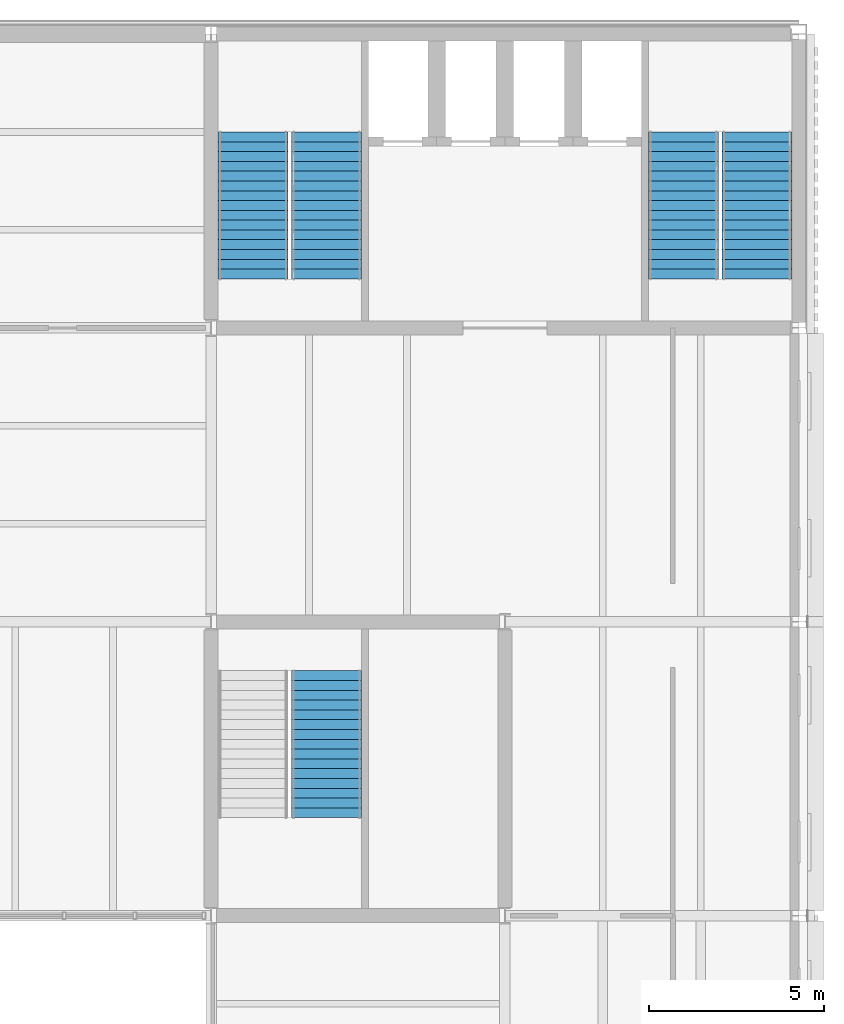
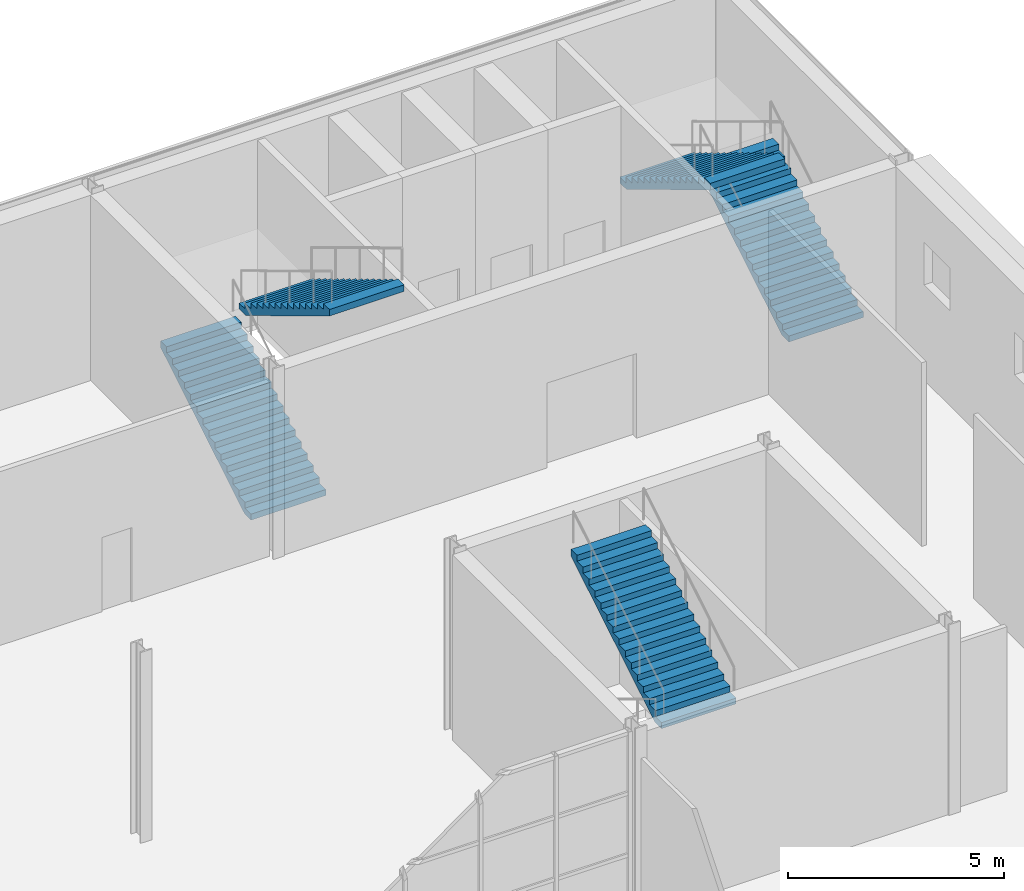
# One storey, part 37 of 57: 5 stair flights, 3 elements without a shape of their own.
"""IFC4 building model written with IfcOpenShell, lengths in metres."""

from ifc_helpers import new_model, si_unit, direction, frame, origin, place, context, subcontext, project, spatial, polyline, outline, extrude, material, type_object, element, aggregate, save


model = new_model("IFC4")

# Units and contexts
model_context = context("Model", 3, precision=1e-05, world=origin(), true_north=direction((0.0, 1.0)))
body_context = subcontext(model_context, "Body", "Model", "MODEL_VIEW")
ifc_project = project(units=[si_unit("LENGTHUNIT", "METRE"), si_unit("AREAUNIT", "SQUARE_METRE"), si_unit("VOLUMEUNIT", "CUBIC_METRE"), si_unit("PLANEANGLEUNIT", "RADIAN"), si_unit("MASSUNIT", "GRAM", prefix="KILO")], contexts=[model_context])

# Site, building, storey
site_placement = place(None, origin())
site = spatial("IfcSite", under=ifc_project, at=site_placement, CompositionType="ELEMENT")
building_placement = place(site_placement, origin())
building = spatial("IfcBuilding", under=site, at=building_placement, Name="Galleria Vessillo Department Store", CompositionType="ELEMENT")
storey_placement = place(building_placement, frame((0.0, 0.0, 25.800048828125)))
storey = spatial("IfcBuildingStorey", under=building, at=storey_placement, Name="L05", CompositionType="ELEMENT", Elevation=25.800048828125)

# Stair, stair flights
ifc_material_1 = material(Name="Concrete C32/40", Category="concrete")
stair_type = type_object("IfcStairType", Name="Half-turn escape stair 2000 mm, 32 risers of 169 mm", PredefinedType="HALF_TURN_STAIR", material=ifc_material_1)
stair_1_placement = place(storey_placement, origin())
stair_1 = element("IfcStair", 1, at=stair_1_placement, inside=storey, type_object=stair_type, Name="Stair ST8 L05", PredefinedType="HALF_TURN_STAIR")
ifc_material_2 = material(Name="Concrete C32/40", Category="concrete")
stair_flight_type = type_object("IfcStairFlightType", Name="Stair flight 2000 mm, 16 risers of 169 mm", PredefinedType="STRAIGHT", material=ifc_material_2)
stair_flight_1_placement = place(storey_placement, frame((102.0, 55.99951171875, 0.0), z_axis=(0.0, 0.0, 1.0), x_axis=(0.0, 1.0, 0.0)))
stair_flight_1 = element("IfcStairFlight", 2, at=stair_flight_1_placement, type_object=stair_flight_type, Name="ST8 flight 1", NumberOfRisers=16, NumberOfTreads=15, PredefinedType="STRAIGHT", RiserHeight=0.16875, TreadLength=0.28, context=body_context, shape_type="SweptSolid", body=[
    extrude(outline(polyline([(0.0, 0.0), (0.0, 0.168701171875), (0.280029296875, 0.168701171875), (0.280029296875, 0.33740234375), (0.56005859375, 0.33740234375), (0.56005859375, 0.50634765625), (0.840087890625, 0.50634765625), (0.840087890625, 0.675048828125), (1.1201171875, 0.675048828125), (1.1201171875, 0.84375), (1.39990234375, 0.84375), (1.39990234375, 1.012451171875), (1.679931640625, 1.012451171875), (1.679931640625, 1.18115234375), (1.9599609375, 1.18115234375), (1.9599609375, 1.35009765625), (2.239990234375, 1.35009765625), (2.239990234375, 1.518798828125), (2.52001953125, 1.518798828125), (2.52001953125, 1.6875), (2.800048828125, 1.6875), (2.800048828125, 1.856201171875), (3.080078125, 1.856201171875), (3.080078125, 2.02490234375), (3.360107421875, 2.02490234375), (3.360107421875, 2.19384765625), (3.639892578125, 2.19384765625), (3.639892578125, 2.362548828125), (3.919921875, 2.362548828125), (3.919921875, 2.53125), (4.199951171875, 2.53125), (4.199951171875, 2.699951171875), (4.199951171875, 2.344482421875), (0.309814453125, 0.0), (0.0, 0.0)])), frame((0.0, 1.0, 0.0), z_axis=(0.0, -1.0, 0.0), x_axis=(1.0, 0.0, 0.0)), (0.0, 0.0, 1.0), 2.0),
])
stair_flight_2_placement = place(storey_placement, frame((104.10009765625, 60.199462890625, 2.699951171875), z_axis=(0.0, 0.0, 1.0), x_axis=(0.0, -1.0, 0.0)))
stair_flight_2 = element("IfcStairFlight", 3, at=stair_flight_2_placement, type_object=stair_flight_type, Name="ST8 flight 2", NumberOfRisers=16, NumberOfTreads=15, PredefinedType="STRAIGHT", RiserHeight=0.16875, TreadLength=0.28, context=body_context, shape_type="SweptSolid", body=[
    extrude(outline(polyline([(0.0, 0.0), (0.0, 0.168701171875), (0.280029296875, 0.168701171875), (0.280029296875, 0.33740234375), (0.56005859375, 0.33740234375), (0.56005859375, 0.50634765625), (0.840087890625, 0.50634765625), (0.840087890625, 0.675048828125), (1.1201171875, 0.675048828125), (1.1201171875, 0.84375), (1.39990234375, 0.84375), (1.39990234375, 1.012451171875), (1.679931640625, 1.012451171875), (1.679931640625, 1.18115234375), (1.9599609375, 1.18115234375), (1.9599609375, 1.35009765625), (2.239990234375, 1.35009765625), (2.239990234375, 1.518798828125), (2.52001953125, 1.518798828125), (2.52001953125, 1.6875), (2.800048828125, 1.6875), (2.800048828125, 1.856201171875), (3.080078125, 1.856201171875), (3.080078125, 2.02490234375), (3.360107421875, 2.02490234375), (3.360107421875, 2.19384765625), (3.639892578125, 2.19384765625), (3.639892578125, 2.362548828125), (3.919921875, 2.362548828125), (3.919921875, 2.53125), (4.199951171875, 2.53125), (4.199951171875, 2.699951171875), (4.199951171875, 2.344482421875), (0.309814453125, 0.0), (0.0, 0.0)])), frame((0.0, 1.0, 0.0), z_axis=(0.0, -1.0, 0.0), x_axis=(1.0, 0.0, 0.0)), (0.0, 0.0, 1.0), 2.0),
])
aggregate(stair_1, [stair_flight_1, stair_flight_2])

stair_2_placement = place(storey_placement, origin())
stair_2 = element("IfcStair", 4, at=stair_2_placement, inside=storey, type_object=stair_type, Name="Stair ST9 L05", PredefinedType="HALF_TURN_STAIR")
stair_flight_3_placement = place(storey_placement, frame((116.39990234375, 55.99951171875, 0.0), z_axis=(0.0, 0.0, 1.0), x_axis=(0.0, 1.0, 0.0)))
stair_flight_3 = element("IfcStairFlight", 5, at=stair_flight_3_placement, type_object=stair_flight_type, Name="ST9 flight 1", NumberOfRisers=16, NumberOfTreads=15, PredefinedType="STRAIGHT", RiserHeight=0.16875, TreadLength=0.28, context=body_context, shape_type="SweptSolid", body=[
    extrude(outline(polyline([(0.0, 0.0), (0.0, 0.168701171875), (0.280029296875, 0.168701171875), (0.280029296875, 0.33740234375), (0.56005859375, 0.33740234375), (0.56005859375, 0.50634765625), (0.840087890625, 0.50634765625), (0.840087890625, 0.675048828125), (1.1201171875, 0.675048828125), (1.1201171875, 0.84375), (1.39990234375, 0.84375), (1.39990234375, 1.012451171875), (1.679931640625, 1.012451171875), (1.679931640625, 1.18115234375), (1.9599609375, 1.18115234375), (1.9599609375, 1.35009765625), (2.239990234375, 1.35009765625), (2.239990234375, 1.518798828125), (2.52001953125, 1.518798828125), (2.52001953125, 1.6875), (2.800048828125, 1.6875), (2.800048828125, 1.856201171875), (3.080078125, 1.856201171875), (3.080078125, 2.02490234375), (3.360107421875, 2.02490234375), (3.360107421875, 2.19384765625), (3.639892578125, 2.19384765625), (3.639892578125, 2.362548828125), (3.919921875, 2.362548828125), (3.919921875, 2.53125), (4.199951171875, 2.53125), (4.199951171875, 2.699951171875), (4.199951171875, 2.344482421875), (0.309814453125, 0.0), (0.0, 0.0)])), frame((0.0, 1.0, 0.0), z_axis=(0.0, -1.0, 0.0), x_axis=(1.0, 0.0, 0.0)), (0.0, 0.0, 1.0), 2.0),
])
stair_flight_4_placement = place(storey_placement, frame((114.300048828125, 60.199462890625, 2.699951171875), z_axis=(0.0, 0.0, 1.0), x_axis=(0.0, -1.0, 0.0)))
stair_flight_4 = element("IfcStairFlight", 6, at=stair_flight_4_placement, type_object=stair_flight_type, Name="ST9 flight 2", NumberOfRisers=16, NumberOfTreads=15, PredefinedType="STRAIGHT", RiserHeight=0.16875, TreadLength=0.28, context=body_context, shape_type="SweptSolid", body=[
    extrude(outline(polyline([(0.0, 0.0), (0.0, 0.168701171875), (0.280029296875, 0.168701171875), (0.280029296875, 0.33740234375), (0.56005859375, 0.33740234375), (0.56005859375, 0.50634765625), (0.840087890625, 0.50634765625), (0.840087890625, 0.675048828125), (1.1201171875, 0.675048828125), (1.1201171875, 0.84375), (1.39990234375, 0.84375), (1.39990234375, 1.012451171875), (1.679931640625, 1.012451171875), (1.679931640625, 1.18115234375), (1.9599609375, 1.18115234375), (1.9599609375, 1.35009765625), (2.239990234375, 1.35009765625), (2.239990234375, 1.518798828125), (2.52001953125, 1.518798828125), (2.52001953125, 1.6875), (2.800048828125, 1.6875), (2.800048828125, 1.856201171875), (3.080078125, 1.856201171875), (3.080078125, 2.02490234375), (3.360107421875, 2.02490234375), (3.360107421875, 2.19384765625), (3.639892578125, 2.19384765625), (3.639892578125, 2.362548828125), (3.919921875, 2.362548828125), (3.919921875, 2.53125), (4.199951171875, 2.53125), (4.199951171875, 2.699951171875), (4.199951171875, 2.344482421875), (0.309814453125, 0.0), (0.0, 0.0)])), frame((0.0, 1.0, 0.0), z_axis=(0.0, -1.0, 0.0), x_axis=(1.0, 0.0, 0.0)), (0.0, 0.0, 1.0), 2.0),
])
aggregate(stair_2, [stair_flight_3, stair_flight_4])

# Stair, stair flight
stair_3_placement = place(storey_placement, origin())
stair_3 = element("IfcStair", 7, at=stair_3_placement, inside=storey, type_object=stair_type, Name="Stair ST12 L05", PredefinedType="HALF_TURN_STAIR")
stair_flight_5_placement = place(storey_placement, frame((104.10009765625, 40.6005859375, 2.699951171875), z_axis=(0.0, 0.0, 1.0), x_axis=(0.0, 1.0, 0.0)))
stair_flight_5 = element("IfcStairFlight", 8, at=stair_flight_5_placement, type_object=stair_flight_type, Name="ST12 flight 2", NumberOfRisers=16, NumberOfTreads=15, PredefinedType="STRAIGHT", RiserHeight=0.16875, TreadLength=0.28, context=body_context, shape_type="SweptSolid", body=[
    extrude(outline(polyline([(0.0, 0.0), (0.0, 0.168701171875), (0.280029296875, 0.168701171875), (0.280029296875, 0.33740234375), (0.56005859375, 0.33740234375), (0.56005859375, 0.50634765625), (0.840087890625, 0.50634765625), (0.840087890625, 0.675048828125), (1.1201171875, 0.675048828125), (1.1201171875, 0.84375), (1.39990234375, 0.84375), (1.39990234375, 1.012451171875), (1.679931640625, 1.012451171875), (1.679931640625, 1.18115234375), (1.9599609375, 1.18115234375), (1.9599609375, 1.35009765625), (2.239990234375, 1.35009765625), (2.239990234375, 1.518798828125), (2.52001953125, 1.518798828125), (2.52001953125, 1.6875), (2.800048828125, 1.6875), (2.800048828125, 1.856201171875), (3.080078125, 1.856201171875), (3.080078125, 2.02490234375), (3.360107421875, 2.02490234375), (3.360107421875, 2.19384765625), (3.639892578125, 2.19384765625), (3.639892578125, 2.362548828125), (3.919921875, 2.362548828125), (3.919921875, 2.53125), (4.199951171875, 2.53125), (4.199951171875, 2.699951171875), (4.199951171875, 2.344482421875), (0.309814453125, 0.0), (0.0, 0.0)])), frame((0.0, 1.0, 0.0), z_axis=(0.0, -1.0, 0.0), x_axis=(1.0, 0.0, 0.0)), (0.0, 0.0, 1.0), 2.0),
])
aggregate(stair_3, [stair_flight_5])

save(model, "model.ifc")
